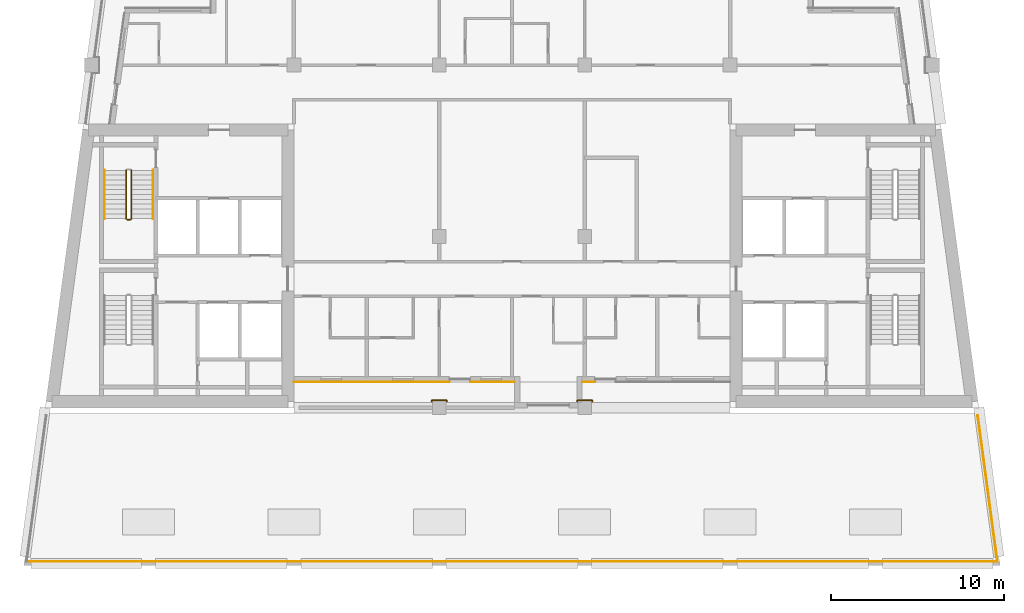
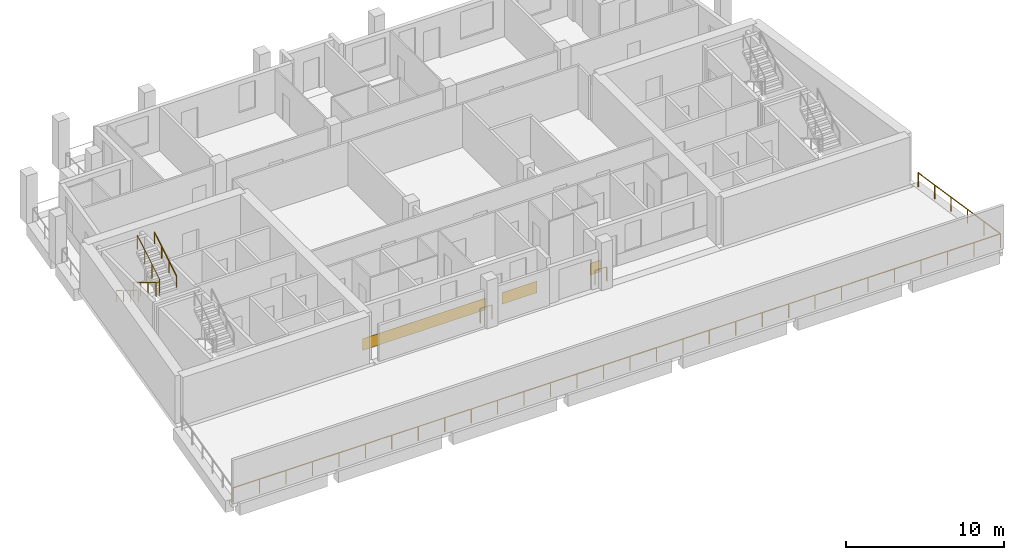
# One storey, part 8 of 12: 6 railings, 3 coverings.
"""IFC4 building model written with IfcOpenShell, lengths in metres."""

from ifc_helpers import new_model, si_unit, direction, frame, origin, origin_2d, place, context, subcontext, project, spatial, rectangle, circle, extrude, material, layer, layer_set, type_object, element, save


model = new_model("IFC4")

# Units and contexts
model_context = context("Model", 3, precision=1e-05, world=origin(), true_north=direction((0.0, 1.0)))
body_context = subcontext(model_context, "Body", "Model", "MODEL_VIEW")
ifc_project = project(units=[si_unit("LENGTHUNIT", "METRE"), si_unit("AREAUNIT", "SQUARE_METRE"), si_unit("VOLUMEUNIT", "CUBIC_METRE"), si_unit("PLANEANGLEUNIT", "RADIAN"), si_unit("MASSUNIT", "GRAM", prefix="KILO")], contexts=[model_context])

# Site, building, storey
site_placement = place(None, origin())
site = spatial("IfcSite", under=ifc_project, at=site_placement, CompositionType="ELEMENT")
building_placement = place(site_placement, origin())
building = spatial("IfcBuilding", under=site, at=building_placement, Name="Candeia Pilgrim Tower and Theatre", CompositionType="ELEMENT")
storey_placement = place(building_placement, frame((0.0, 0.0, 281.199951171875)))
storey = spatial("IfcBuildingStorey", under=building, at=storey_placement, Name="L68", CompositionType="ELEMENT", Elevation=281.199951171875)

# Railings
ifc_material_1 = material(Name="Stainless steel balustrade", Category="steel")
railing_type_1 = type_object("IfcRailingType", Name="G1 loggia guard 1100", PredefinedType="GUARDRAIL", material=ifc_material_1)
railing_1_placement = place(storey_placement, frame((118.030029296875, 116.35009765625, 0.0)))
element("IfcRailing", 1, at=railing_1_placement, inside=storey, type_object=railing_type_1, Name="Guard L68.3", PredefinedType="GUARDRAIL", context=body_context, shape_type="SweptSolid", body=[
    extrude(circle(Radius=0.02392578125, at=origin_2d()), frame((0.0, 0.0, 1.076171875), z_axis=(0.0, 1.0, 0.0), x_axis=(-1.0, 0.0, 0.0)), (0.0, 0.0, 1.0), 0.079833984375),
    extrude(circle(Radius=0.02392578125, at=origin_2d()), frame((0.0, 0.079833984375, 1.076171875), z_axis=(-1.0, 0.0, 0.0), x_axis=(0.0, -1.0, 0.0)), (0.0, 0.0, 1.0), 0.860107421875),
    extrude(circle(Radius=0.02392578125, at=origin_2d()), frame((-0.860107421875, 0.079833984375, 1.076171875), z_axis=(0.0, -1.0, 0.0), x_axis=(1.0, 0.0, 0.0)), (0.0, 0.0, 1.0), 0.079833984375),
    extrude(circle(Radius=0.02099609375, at=origin_2d()), origin(), (0.0, 0.0, 1.0), 1.052001953125),
    extrude(circle(Radius=0.02099609375, at=origin_2d()), frame((0.0, 0.079833984375, 0.0)), (0.0, 0.0, 1.0), 1.052001953125),
    extrude(circle(Radius=0.02099609375, at=origin_2d()), frame((-0.860107421875, 0.079833984375, 0.0)), (0.0, 0.0, 1.0), 1.052001953125),
    extrude(circle(Radius=0.02099609375, at=origin_2d()), frame((-0.860107421875, 0.0, 0.0)), (0.0, 0.0, 1.0), 1.052001953125),
])
railing_2_placement = place(storey_placement, frame((109.6298828125, 116.35009765625, 0.0)))
element("IfcRailing", 2, at=railing_2_placement, inside=storey, type_object=railing_type_1, Name="Guard L68.4", PredefinedType="GUARDRAIL", context=body_context, shape_type="SweptSolid", body=[
    extrude(circle(Radius=0.02392578125, at=origin_2d()), frame((0.0, 0.0, 1.076171875), z_axis=(0.0, 1.0, 0.0), x_axis=(-1.0, 0.0, 0.0)), (0.0, 0.0, 1.0), 0.079833984375),
    extrude(circle(Radius=0.02392578125, at=origin_2d()), frame((0.0, 0.079833984375, 1.076171875), z_axis=(-1.0, 0.0, 0.0), x_axis=(0.0, -1.0, 0.0)), (0.0, 0.0, 1.0), 0.85986328125),
    extrude(circle(Radius=0.02392578125, at=origin_2d()), frame((-0.85986328125, 0.079833984375, 1.076171875), z_axis=(0.0, -1.0, 0.0), x_axis=(1.0, 0.0, 0.0)), (0.0, 0.0, 1.0), 0.079833984375),
    extrude(circle(Radius=0.02099609375, at=origin_2d()), origin(), (0.0, 0.0, 1.0), 1.052001953125),
    extrude(circle(Radius=0.02099609375, at=origin_2d()), frame((0.0, 0.079833984375, 0.0)), (0.0, 0.0, 1.0), 1.052001953125),
    extrude(circle(Radius=0.02099609375, at=origin_2d()), frame((-0.85986328125, 0.079833984375, 0.0)), (0.0, 0.0, 1.0), 1.052001953125),
    extrude(circle(Radius=0.02099609375, at=origin_2d()), frame((-0.85986328125, 0.0, 0.0)), (0.0, 0.0, 1.0), 1.052001953125),
])
railing_3_placement = place(storey_placement, frame((140.31640625, 115.550048828125, 0.0)))
element("IfcRailing", 3, at=railing_3_placement, inside=storey, type_object=railing_type_1, Name="Terrace guard L68.2", PredefinedType="GUARDRAIL", context=body_context, shape_type="SweptSolid", body=[
    extrude(circle(Radius=0.02392578125, at=origin_2d()), frame((0.0, 0.0, 1.076171875), z_axis=(0.133408217142, -0.991061172481, 0.0), x_axis=(0.991061172481, 0.133408217142, 0.0)), (0.0, 0.0, 1.0), 8.505859375),
    extrude(circle(Radius=0.02392578125, at=origin_2d()), frame((1.134765625, -8.429931640625, 1.076171875), z_axis=(-1.0, 0.0, 0.0), x_axis=(0.0, -1.0, 0.0)), (0.0, 0.0, 1.0), 56.102294921875),
    extrude(circle(Radius=0.02099609375, at=origin_2d()), origin(), (0.0, 0.0, 1.0), 1.052001953125),
    extrude(circle(Radius=0.02099609375, at=origin_2d()), frame((0.22705078125, -1.68603515625, 0.0)), (0.0, 0.0, 1.0), 1.052001953125),
    extrude(circle(Radius=0.02099609375, at=origin_2d()), frame((0.453857421875, -3.3720703125, 0.0)), (0.0, 0.0, 1.0), 1.052001953125),
    extrude(circle(Radius=0.02099609375, at=origin_2d()), frame((0.680908203125, -5.057861328125, 0.0)), (0.0, 0.0, 1.0), 1.052001953125),
    extrude(circle(Radius=0.02099609375, at=origin_2d()), frame((0.90771484375, -6.743896484375, 0.0)), (0.0, 0.0, 1.0), 1.052001953125),
    extrude(circle(Radius=0.02099609375, at=origin_2d()), frame((1.134765625, -8.429931640625, 0.0)), (0.0, 0.0, 1.0), 1.052001953125),
    extrude(circle(Radius=0.02099609375, at=origin_2d()), frame((-0.7998046875, -8.429931640625, 0.0)), (0.0, 0.0, 1.0), 1.052001953125),
    extrude(circle(Radius=0.02099609375, at=origin_2d()), frame((-2.734375, -8.429931640625, 0.0)), (0.0, 0.0, 1.0), 1.052001953125),
    extrude(circle(Radius=0.02099609375, at=origin_2d()), frame((-4.6689453125, -8.429931640625, 0.0)), (0.0, 0.0, 1.0), 1.052001953125),
    extrude(circle(Radius=0.02099609375, at=origin_2d()), frame((-6.603515625, -8.429931640625, 0.0)), (0.0, 0.0, 1.0), 1.052001953125),
    extrude(circle(Radius=0.02099609375, at=origin_2d()), frame((-8.5380859375, -8.429931640625, 0.0)), (0.0, 0.0, 1.0), 1.052001953125),
    extrude(circle(Radius=0.02099609375, at=origin_2d()), frame((-10.47265625, -8.429931640625, 0.0)), (0.0, 0.0, 1.0), 1.052001953125),
    extrude(circle(Radius=0.02099609375, at=origin_2d()), frame((-12.4072265625, -8.429931640625, 0.0)), (0.0, 0.0, 1.0), 1.052001953125),
    extrude(circle(Radius=0.02099609375, at=origin_2d()), frame((-14.341796875, -8.429931640625, 0.0)), (0.0, 0.0, 1.0), 1.052001953125),
    extrude(circle(Radius=0.02099609375, at=origin_2d()), frame((-16.2763671875, -8.429931640625, 0.0)), (0.0, 0.0, 1.0), 1.052001953125),
    extrude(circle(Radius=0.02099609375, at=origin_2d()), frame((-18.2109375, -8.429931640625, 0.0)), (0.0, 0.0, 1.0), 1.052001953125),
    extrude(circle(Radius=0.02099609375, at=origin_2d()), frame((-20.1455078125, -8.429931640625, 0.0)), (0.0, 0.0, 1.0), 1.052001953125),
    extrude(circle(Radius=0.02099609375, at=origin_2d()), frame((-22.080078125, -8.429931640625, 0.0)), (0.0, 0.0, 1.0), 1.052001953125),
    extrude(circle(Radius=0.02099609375, at=origin_2d()), frame((-24.0146484375, -8.429931640625, 0.0)), (0.0, 0.0, 1.0), 1.052001953125),
    extrude(circle(Radius=0.02099609375, at=origin_2d()), frame((-25.94921875, -8.429931640625, 0.0)), (0.0, 0.0, 1.0), 1.052001953125),
    extrude(circle(Radius=0.02099609375, at=origin_2d()), frame((-27.883544921875, -8.429931640625, 0.0)), (0.0, 0.0, 1.0), 1.052001953125),
    extrude(circle(Radius=0.02099609375, at=origin_2d()), frame((-29.818115234375, -8.429931640625, 0.0)), (0.0, 0.0, 1.0), 1.052001953125),
    extrude(circle(Radius=0.02099609375, at=origin_2d()), frame((-31.752685546875, -8.429931640625, 0.0)), (0.0, 0.0, 1.0), 1.052001953125),
    extrude(circle(Radius=0.02099609375, at=origin_2d()), frame((-33.687255859375, -8.429931640625, 0.0)), (0.0, 0.0, 1.0), 1.052001953125),
    extrude(circle(Radius=0.02099609375, at=origin_2d()), frame((-35.621826171875, -8.429931640625, 0.0)), (0.0, 0.0, 1.0), 1.052001953125),
    extrude(circle(Radius=0.02099609375, at=origin_2d()), frame((-37.556396484375, -8.429931640625, 0.0)), (0.0, 0.0, 1.0), 1.052001953125),
    extrude(circle(Radius=0.02099609375, at=origin_2d()), frame((-39.490966796875, -8.429931640625, 0.0)), (0.0, 0.0, 1.0), 1.052001953125),
    extrude(circle(Radius=0.02099609375, at=origin_2d()), frame((-41.425537109375, -8.429931640625, 0.0)), (0.0, 0.0, 1.0), 1.052001953125),
    extrude(circle(Radius=0.02099609375, at=origin_2d()), frame((-43.360107421875, -8.429931640625, 0.0)), (0.0, 0.0, 1.0), 1.052001953125),
    extrude(circle(Radius=0.02099609375, at=origin_2d()), frame((-45.294677734375, -8.429931640625, 0.0)), (0.0, 0.0, 1.0), 1.052001953125),
    extrude(circle(Radius=0.02099609375, at=origin_2d()), frame((-47.229248046875, -8.429931640625, 0.0)), (0.0, 0.0, 1.0), 1.052001953125),
    extrude(circle(Radius=0.02099609375, at=origin_2d()), frame((-49.163818359375, -8.429931640625, 0.0)), (0.0, 0.0, 1.0), 1.052001953125),
    extrude(circle(Radius=0.02099609375, at=origin_2d()), frame((-51.098388671875, -8.429931640625, 0.0)), (0.0, 0.0, 1.0), 1.052001953125),
    extrude(circle(Radius=0.02099609375, at=origin_2d()), frame((-53.032958984375, -8.429931640625, 0.0)), (0.0, 0.0, 1.0), 1.052001953125),
    extrude(circle(Radius=0.02099609375, at=origin_2d()), frame((-54.967529296875, -8.429931640625, 0.0)), (0.0, 0.0, 1.0), 1.052001953125),
])

# Coverings
ifc_material_2 = material(Name="Glazed ceramic tile bottle green")
ifc_layer = layer(ifc_material_2, 0.02001953125)
ifc_layer_set = layer_set([ifc_layer], Name="Glazed ceramic tile bottle green")
covering_type = type_object("IfcCoveringType", Name="Glazed ceramic tile bottle green", PredefinedType="CLADDING", material=ifc_layer_set)
covering_1_placement = place(storey_placement, frame((105.300048828125, 117.489990234375, 0.0), z_axis=(0.0, 0.0, 1.0), x_axis=(1.0, 0.0, 0.0)))
element("IfcCovering", 4, at=covering_1_placement, inside=storey, type_object=covering_type, Name="Tile cladding bottle green L68", PredefinedType="CLADDING", context=body_context, shape_type="SweptSolid", body=[
    extrude(rectangle(XDim=9.0, YDim=0.02001953125, at=origin_2d()), origin(), (0.0, 0.0, 1.0), 0.89990234375),
])
covering_2_placement = place(storey_placement, frame((112.27490234375, 117.489990234375, 0.0), z_axis=(0.0, 0.0, 1.0), x_axis=(1.0, 0.0, 0.0)))
element("IfcCovering", 5, at=covering_2_placement, inside=storey, type_object=covering_type, Name="Tile cladding bottle green L68", PredefinedType="CLADDING", context=body_context, shape_type="SweptSolid", body=[
    extrude(rectangle(XDim=2.550048828125, YDim=0.02001953125, at=origin_2d()), origin(), (0.0, 0.0, 1.0), 0.89990234375),
])
covering_3_placement = place(storey_placement, frame((117.824951171875, 117.489990234375, 0.0), z_axis=(0.0, 0.0, 1.0), x_axis=(1.0, 0.0, 0.0)))
element("IfcCovering", 6, at=covering_3_placement, inside=storey, type_object=covering_type, Name="Tile cladding bottle green L68", PredefinedType="CLADDING", context=body_context, shape_type="SweptSolid", body=[
    extrude(rectangle(XDim=0.75, YDim=0.02001953125, at=origin_2d()), origin(), (0.0, 0.0, 1.0), 0.89990234375),
])

# Railings
railing_type_2 = type_object("IfcRailingType", Name="RL-GUARD-1100", PredefinedType="GUARDRAIL", material=ifc_material_1)
railing_4_placement = place(storey_placement, frame((91.10205078125, 129.72509765625, 0.168212890625)))
element("IfcRailing", 7, at=railing_4_placement, inside=storey, type_object=railing_type_2, Name="L68 ST2 stair guard 1", PredefinedType="GUARDRAIL", context=body_context, shape_type="SweptSolid", body=[
    extrude(circle(Radius=0.02392578125, at=origin_2d()), frame((0.0, 0.0, 1.076171875), z_axis=(0.0, -0.857242210791, 0.514913383045), x_axis=(1.0, 0.0, 0.0)), (0.0, 0.0, 1.0), 3.266357421875),
    extrude(circle(Radius=0.02392578125, at=origin_2d()), frame((0.0, -2.800048828125, 2.7578125), z_axis=(0.707106781187, -0.707106781187, 0.0), x_axis=(0.707106781187, 0.707106781187, 0.0)), (0.0, 0.0, 1.0), 0.07080078125),
    extrude(circle(Radius=0.02392578125, at=origin_2d()), frame((0.050048828125, -2.85009765625, 2.7578125), z_axis=(1.0, 0.0, 0.0), x_axis=(0.0, 1.0, 0.0)), (0.0, 0.0, 1.0), 0.199951171875),
    extrude(circle(Radius=0.02392578125, at=origin_2d()), frame((0.25, -2.85009765625, 2.7578125), z_axis=(0.274243871929, 0.274243871929, 0.92172696468), x_axis=(-0.707106781187, 0.707106781187, 0.0)), (0.0, 0.0, 1.0), 0.1826171875),
    extrude(circle(Radius=0.02392578125, at=origin_2d()), frame((0.300048828125, -2.800048828125, 2.92626953125), z_axis=(0.0, 0.857275202839, 0.514858452973), x_axis=(-1.0, 0.0, 0.0)), (0.0, 0.0, 1.0), 3.26611328125),
    extrude(circle(Radius=0.02099609375, at=origin_2d()), origin(), (0.0, 0.0, 1.0), 1.052001953125),
    extrude(circle(Radius=0.02099609375, at=origin_2d()), frame((0.0, -0.933349609375, 0.560546875)), (0.0, 0.0, 1.0), 1.052001953125),
    extrude(circle(Radius=0.02099609375, at=origin_2d()), frame((0.0, -1.86669921875, 1.121337890625)), (0.0, 0.0, 1.0), 1.052001953125),
    extrude(circle(Radius=0.02099609375, at=origin_2d()), frame((0.0, -2.800048828125, 1.681884765625)), (0.0, 0.0, 1.0), 1.052001953125),
    extrude(circle(Radius=0.02099609375, at=origin_2d()), frame((0.050048828125, -2.85009765625, 1.681884765625)), (0.0, 0.0, 1.0), 1.052001953125),
    extrude(circle(Radius=0.02099609375, at=origin_2d()), frame((0.25, -2.85009765625, 1.681884765625)), (0.0, 0.0, 1.0), 1.052001953125),
    extrude(circle(Radius=0.02099609375, at=origin_2d()), frame((0.300048828125, -2.800048828125, 1.85009765625)), (0.0, 0.0, 1.0), 1.052001953125),
    extrude(circle(Radius=0.02099609375, at=origin_2d()), frame((0.300048828125, -1.86669921875, 2.41064453125)), (0.0, 0.0, 1.0), 1.052001953125),
    extrude(circle(Radius=0.02099609375, at=origin_2d()), frame((0.300048828125, -0.933349609375, 2.97119140625)), (0.0, 0.0, 1.0), 1.052001953125),
    extrude(circle(Radius=0.02099609375, at=origin_2d()), frame((0.300048828125, 0.0, 3.53173828125)), (0.0, 0.0, 1.0), 1.052001953125),
])
ifc_material_3 = material(Name="Stainless steel handrail", Category="steel")
railing_type_3 = type_object("IfcRailingType", Name="RL-HANDRAIL-900", PredefinedType="HANDRAIL", material=ifc_material_3)
railing_5_placement = place(storey_placement, frame((89.85205078125, 129.72509765625, 0.168212890625)))
element("IfcRailing", 8, at=railing_5_placement, inside=storey, type_object=railing_type_3, Name="L68 ST2 stair handrail 1", PredefinedType="HANDRAIL", context=body_context, shape_type="SweptSolid", body=[
    extrude(circle(Radius=0.02392578125, at=origin_2d()), frame((0.0, 0.0, 0.8759765625), z_axis=(0.0, -0.857242210791, 0.514913383045), x_axis=(1.0, 0.0, 0.0)), (0.0, 0.0, 1.0), 3.266357421875),
    extrude(circle(Radius=0.02099609375, at=origin_2d()), origin(), (0.0, 0.0, 1.0), 0.851806640625),
    extrude(circle(Radius=0.02099609375, at=origin_2d()), frame((0.0, -0.933349609375, 0.560546875)), (0.0, 0.0, 1.0), 0.851806640625),
    extrude(circle(Radius=0.02099609375, at=origin_2d()), frame((0.0, -1.86669921875, 1.121337890625)), (0.0, 0.0, 1.0), 0.851806640625),
    extrude(circle(Radius=0.02099609375, at=origin_2d()), frame((0.0, -2.800048828125, 1.681884765625)), (0.0, 0.0, 1.0), 0.851806640625),
])
railing_6_placement = place(storey_placement, frame((92.652099609375, 126.925048828125, 2.018310546875)))
element("IfcRailing", 9, at=railing_6_placement, inside=storey, type_object=railing_type_3, Name="L68 ST2 stair handrail 2", PredefinedType="HANDRAIL", context=body_context, shape_type="SweptSolid", body=[
    extrude(circle(Radius=0.02392578125, at=origin_2d()), frame((0.0, 0.0, 0.8759765625), z_axis=(0.0, 0.857275202839, 0.514858452973), x_axis=(-1.0, 0.0, 0.0)), (0.0, 0.0, 1.0), 3.26611328125),
    extrude(circle(Radius=0.02099609375, at=origin_2d()), origin(), (0.0, 0.0, 1.0), 0.851806640625),
    extrude(circle(Radius=0.02099609375, at=origin_2d()), frame((0.0, 0.933349609375, 0.560546875)), (0.0, 0.0, 1.0), 0.851806640625),
    extrude(circle(Radius=0.02099609375, at=origin_2d()), frame((0.0, 1.86669921875, 1.12109375)), (0.0, 0.0, 1.0), 0.851806640625),
    extrude(circle(Radius=0.02099609375, at=origin_2d()), frame((0.0, 2.800048828125, 1.681640625)), (0.0, 0.0, 1.0), 0.851806640625),
])

save(model, "model.ifc")
